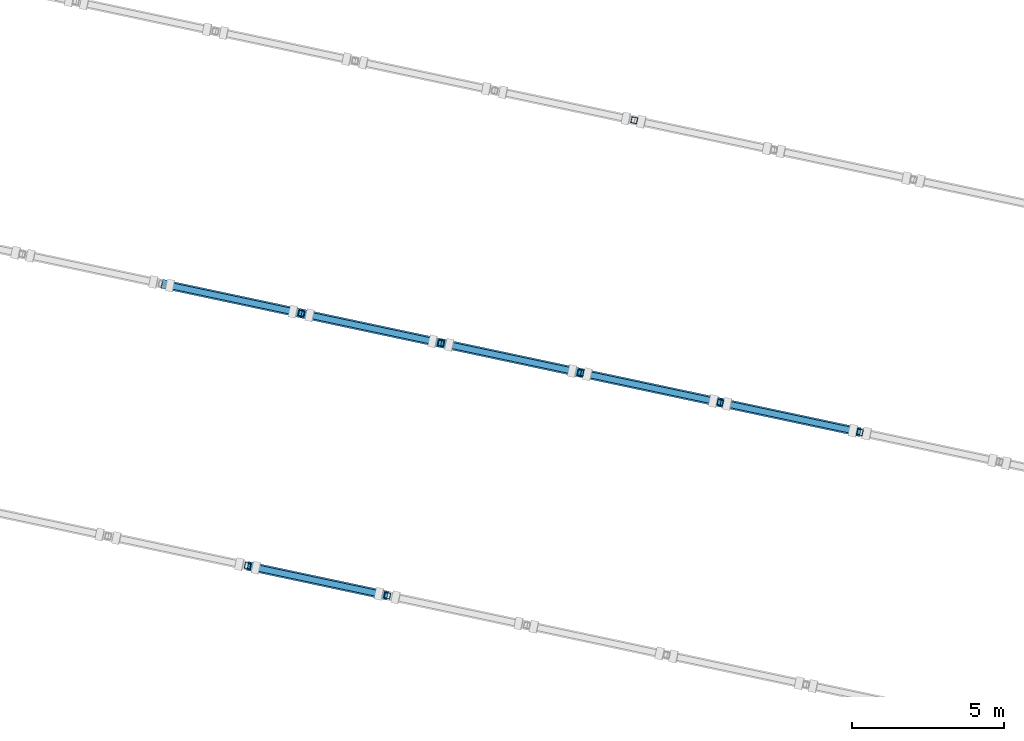
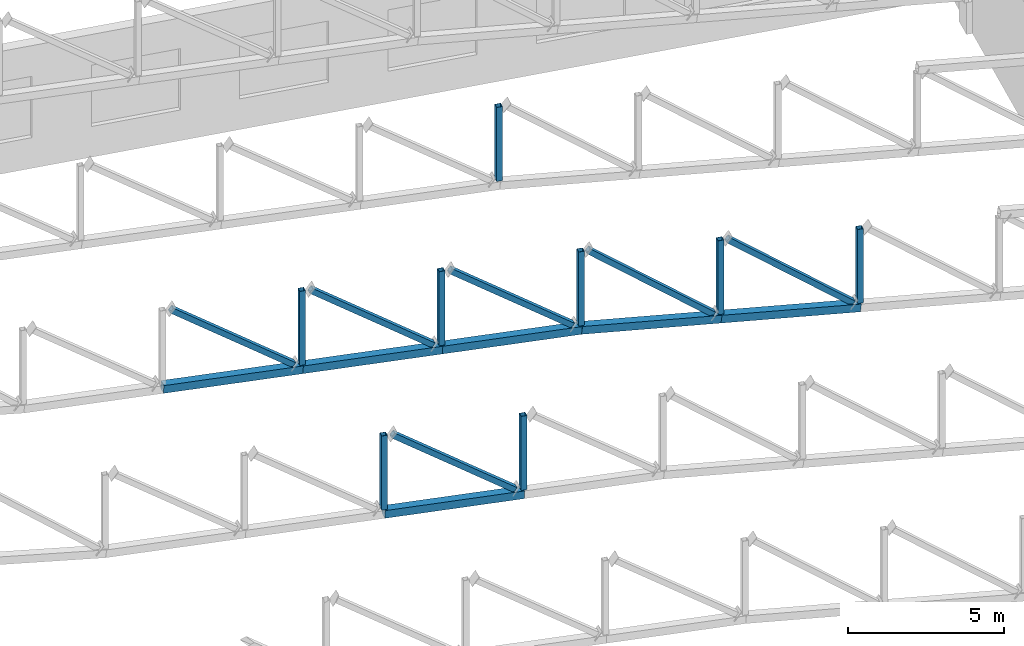
# One storey, part 64 of 182: 20 members.
"""IFC4 building model written with IfcOpenShell, lengths in metres."""

from ifc_helpers import new_model, si_unit, direction, frame, origin, origin_2d, place, context, subcontext, project, spatial, hollow_rectangle, extrude, material, material_profile, profile_set, type_object, element, save


model = new_model("IFC4")

# Units and contexts
model_context = context("Model", 3, precision=1e-05, world=origin(), true_north=direction((0.0, 1.0)))
body_context = subcontext(model_context, "Body", "Model", "MODEL_VIEW")
ifc_project = project(units=[si_unit("LENGTHUNIT", "METRE"), si_unit("AREAUNIT", "SQUARE_METRE"), si_unit("VOLUMEUNIT", "CUBIC_METRE"), si_unit("PLANEANGLEUNIT", "RADIAN"), si_unit("MASSUNIT", "GRAM", prefix="KILO")], contexts=[model_context])

# Site, building, storey
site_placement = place(None, origin())
site = spatial("IfcSite", under=ifc_project, at=site_placement, CompositionType="ELEMENT")
building_placement = place(site_placement, origin())
building = spatial("IfcBuilding", under=site, at=building_placement, Name="Okhra Congress Centre", CompositionType="ELEMENT")
storey_placement = place(building_placement, frame((0.0, 0.0, 7.199951171875)))
storey = spatial("IfcBuildingStorey", under=building, at=storey_placement, Name="L01", CompositionType="ELEMENT", Elevation=7.199951171875)

# Members
ifc_material = material(Name="Steel S355J2", Category="steel")
ifc_material_profile_1 = material_profile(ifc_material, hollow_rectangle(XDim=0.300048828125, YDim=0.300048828125, WallThickness=0.01611328125, at=origin_2d()), Name="RHS 300x300x16")
ifc_profile_set_1 = profile_set([ifc_material_profile_1], Name="Steel S355J2")
member_type_1 = type_object("IfcMemberType", Name="Steel truss chord RHS 300x300x16", PredefinedType="CHORD", material=ifc_profile_set_1)
for number, where, z_axis, x_axis, name in (
    (1, (231.06787109375, 106.439697265625, 4.051025390625), (0.976803265923, -0.207643963331, -0.052338935549), (0.207928955205, 0.978143930916, 0.0), "Hall truss 3 bottom chord 7"),
    (2, (228.23779296875, 115.73095703125, 4.29736328125), (0.976813785854, -0.20759432696, -0.052339499226), (0.207879256857, 0.978154494223, 0.0), "Hall truss 4 bottom chord 6"),
    (3, (232.835205078125, 114.75390625, 4.051025390625), (0.976803265923, -0.207643963331, -0.052338935549), (0.207928955205, 0.978143930916, 0.0), "Hall truss 4 bottom chord 7"),
):
    element("IfcMember", number, at=place(storey_placement, frame(where, z_axis=z_axis, x_axis=x_axis)), inside=storey, type_object=member_type_1, Name=name, PredefinedType="CHORD", context=body_context, shape_type="SweptSolid", body=[
        extrude(hollow_rectangle(XDim=0.300048828125, YDim=0.300048828125, WallThickness=0.01611328125, at=origin_2d()), origin(), (0.0, 0.0, 1.0), 4.70654296875),
    ])
member_1_placement = place(storey_placement, frame((237.4326171875, 113.776611328125, 3.8046875), z_axis=(0.9768114081, -0.207604846267, -0.052342151395), x_axis=(0.20788981954, 0.978152249362, 0.0)))
element("IfcMember", 4, at=member_1_placement, inside=storey, type_object=member_type_1, Name="Hall truss 4 bottom chord 8", PredefinedType="CHORD", context=body_context, shape_type="SweptSolid", body=[
    extrude(hollow_rectangle(XDim=0.300048828125, YDim=0.300048828125, WallThickness=0.01611328125, at=origin_2d()), origin(), (0.0, 0.0, 1.0), 4.706298828125),
])
member_2_placement = place(storey_placement, frame((242.02978515625, 112.799560546875, 3.558349609375), z_axis=(0.970851895595, -0.206378850729, -0.121878491912), x_axis=(0.207928955205, 0.978143930916, 0.0)))
element("IfcMember", 5, at=member_2_placement, inside=storey, type_object=member_type_1, Name="Hall truss 4 bottom chord 9", PredefinedType="CHORD", context=body_context, shape_type="SweptSolid", body=[
    extrude(hollow_rectangle(XDim=0.300048828125, YDim=0.300048828125, WallThickness=0.01611328125, at=origin_2d()), origin(), (0.0, 0.0, 1.0), 4.7353515625),
])
member_3_placement = place(storey_placement, frame((246.627197265625, 111.822265625, 2.981201171875), z_axis=(0.970865363443, -0.206341114418, -0.121835095795), x_axis=(0.20788981954, 0.978152249362, 0.0)))
element("IfcMember", 6, at=member_3_placement, inside=storey, type_object=member_type_1, Name="Hall truss 4 bottom chord 10", PredefinedType="CHORD", context=body_context, shape_type="SweptSolid", body=[
    extrude(hollow_rectangle(XDim=0.300048828125, YDim=0.300048828125, WallThickness=0.01611328125, at=origin_2d()), origin(), (0.0, 0.0, 1.0), 4.735107421875),
])
ifc_material_profile_2 = material_profile(ifc_material, hollow_rectangle(XDim=0.199951171875, YDim=0.199951171875, WallThickness=0.010009765625, at=origin_2d()), Name="RHS 200x200x10 diagonal")
ifc_profile_set_2 = profile_set([ifc_material_profile_2], Name="Steel S355J2")
member_type_2 = type_object("IfcMemberType", Name="Steel truss diagonal RHS 200x200x10", PredefinedType="BRACE", material=ifc_profile_set_2)
member_4_placement = place(storey_placement, frame((231.3515625, 106.37939453125, 7.03857421875), z_axis=(0.788793721187, -0.167678994829, -0.591344417501), x_axis=(0.207930334102, 0.978143637796, 0.0)))
element("IfcMember", 7, at=member_4_placement, inside=storey, type_object=member_type_2, Name="Hall truss 3 diagonal 7", PredefinedType="BRACE", context=body_context, shape_type="SweptSolid", body=[
    extrude(hollow_rectangle(XDim=0.199951171875, YDim=0.199951171875, WallThickness=0.010009765625, at=origin_2d()), origin(), (0.0, 0.0, 1.0), 5.109130859375),
])
for number, where, z_axis, x_axis, name in (
    (8, (228.521484375, 115.6708984375, 7.284912109375), (0.788811773706, -0.167672674699, -0.591322128642), (0.2079182829, 0.97814619952, 0.0), "Hall truss 4 diagonal 6"),
    (9, (233.11865234375, 114.693603515625, 7.03857421875), (0.788811773706, -0.167672674699, -0.591322128642), (0.2079182829, 0.97814619952, 0.0), "Hall truss 4 diagonal 7"),
    (10, (237.716064453125, 113.71630859375, 6.792236328125), (0.788818092846, -0.167626233929, -0.591326865699), (0.207861590495, 0.978158248545, 0.0), "Hall truss 4 diagonal 8"),
):
    element("IfcMember", number, at=place(storey_placement, frame(where, z_axis=z_axis, x_axis=x_axis)), inside=storey, type_object=member_type_2, Name=name, PredefinedType="BRACE", context=body_context, shape_type="SweptSolid", body=[
        extrude(hollow_rectangle(XDim=0.199951171875, YDim=0.199951171875, WallThickness=0.010009765625, at=origin_2d()), origin(), (0.0, 0.0, 1.0), 5.109375),
    ])
for number, where, z_axis, x_axis, name in (
    (11, (242.263427734375, 112.749755859375, 6.56640625), (0.762454380818, -0.162037331464, -0.626424153736), (0.207878119852, 0.978154735861, 0.0), "Hall truss 4 diagonal 9"),
    (12, (246.86083984375, 111.772705078125, 5.9892578125), (0.762448811516, -0.162081220514, -0.626419578059), (0.207933444311, 0.978142976633, 0.0), "Hall truss 4 diagonal 10"),
):
    element("IfcMember", number, at=place(storey_placement, frame(where, z_axis=z_axis, x_axis=x_axis)), inside=storey, type_object=member_type_2, Name=name, PredefinedType="BRACE", context=body_context, shape_type="SweptSolid", body=[
        extrude(hollow_rectangle(XDim=0.199951171875, YDim=0.199951171875, WallThickness=0.010009765625, at=origin_2d()), origin(), (0.0, 0.0, 1.0), 5.41650390625),
    ])
ifc_material_profile_3 = material_profile(ifc_material, hollow_rectangle(XDim=0.199951171875, YDim=0.199951171875, WallThickness=0.010009765625, at=origin_2d()), Name="RHS 200x200x10")
ifc_profile_set_3 = profile_set([ifc_material_profile_3], Name="Steel S355J2")
member_type_3 = type_object("IfcMemberType", Name="Steel truss post RHS 200x200x10", PredefinedType="POST", material=ifc_profile_set_3)
for number, where, z_axis, x_axis, name in (
    (13, (231.06787109375, 106.439697265625, 4.201171875), (0.0, 0.0, 1.0), (0.978147600734, -0.207911690818, 0.0), "Hall truss 3 post 7"),
    (14, (235.665283203125, 105.46240234375, 3.954833984375), (0.0, 0.0, 1.0), (0.978147600734, -0.207911690818, 0.0), "Hall truss 3 post 8"),
    (15, (232.835205078125, 114.75390625, 4.201171875), (0.0, 0.0, 1.0), (0.978147600734, -0.207911690818, 0.0), "Hall truss 4 post 7"),
    (16, (237.4326171875, 113.776611328125, 3.954833984375), (0.0, 0.0, 1.0), (0.978147600734, -0.207911690818, 0.0), "Hall truss 4 post 8"),
):
    element("IfcMember", number, at=place(storey_placement, frame(where, z_axis=z_axis, x_axis=x_axis)), inside=storey, type_object=member_type_3, Name=name, PredefinedType="POST", context=body_context, shape_type="SweptSolid", body=[
        extrude(hollow_rectangle(XDim=0.199951171875, YDim=0.199951171875, WallThickness=0.010009765625, at=origin_2d()), origin(), (0.0, 0.0, 1.0), 2.899658203125),
    ])
member_5_placement = place(storey_placement, frame((242.02978515625, 112.799560546875, 3.70947265625), z_axis=(0.0, 0.0, 1.0), x_axis=(0.978147600734, -0.207911690818, 0.0)))
element("IfcMember", 17, at=member_5_placement, inside=storey, type_object=member_type_3, Name="Hall truss 4 post 9", PredefinedType="POST", context=body_context, shape_type="SweptSolid", body=[
    extrude(hollow_rectangle(XDim=0.199951171875, YDim=0.199951171875, WallThickness=0.010009765625, at=origin_2d()), origin(), (0.0, 0.0, 1.0), 2.897705078125),
])
member_6_placement = place(storey_placement, frame((246.627197265625, 111.822265625, 3.13232421875), z_axis=(0.0, 0.0, 1.0), x_axis=(0.978147600734, -0.207911690818, 0.0)))
element("IfcMember", 18, at=member_6_placement, inside=storey, type_object=member_type_3, Name="Hall truss 4 post 10", PredefinedType="POST", context=body_context, shape_type="SweptSolid", body=[
    extrude(hollow_rectangle(XDim=0.199951171875, YDim=0.199951171875, WallThickness=0.010009765625, at=origin_2d()), origin(), (0.0, 0.0, 1.0), 2.89794921875),
])
for number, where, z_axis, x_axis, name in (
    (19, (251.224365234375, 110.84521484375, 2.555419921875), (0.0, 0.0, 1.0), (0.978147600734, -0.207911690818, 0.0), "Hall truss 4 post 11"),
    (20, (243.797119140625, 121.11376953125, 3.70947265625), (0.0, 0.0, 1.0), (0.978147600734, -0.207911690818, 0.0), "Hall truss 5 post 9"),
):
    element("IfcMember", number, at=place(storey_placement, frame(where, z_axis=z_axis, x_axis=x_axis)), inside=storey, type_object=member_type_3, Name=name, PredefinedType="POST", context=body_context, shape_type="SweptSolid", body=[
        extrude(hollow_rectangle(XDim=0.199951171875, YDim=0.199951171875, WallThickness=0.010009765625, at=origin_2d()), origin(), (0.0, 0.0, 1.0), 2.897705078125),
    ])

save(model, "model.ifc")
